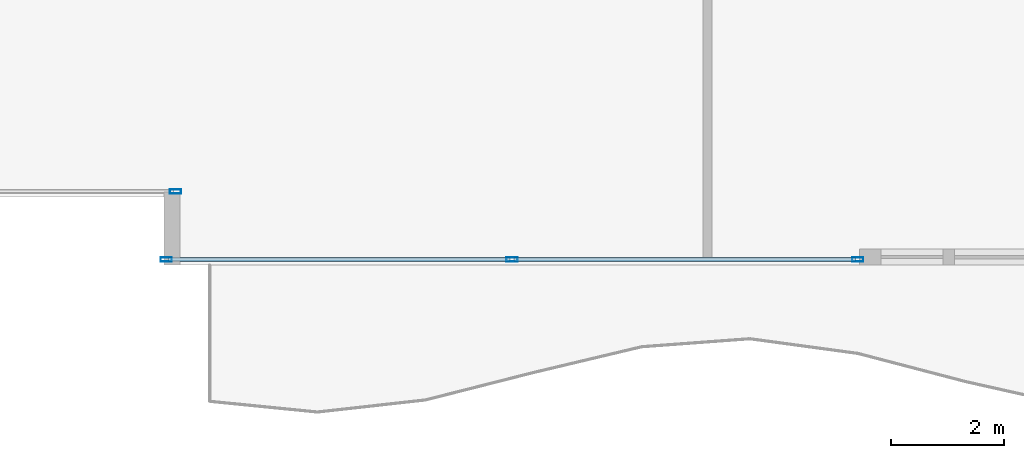
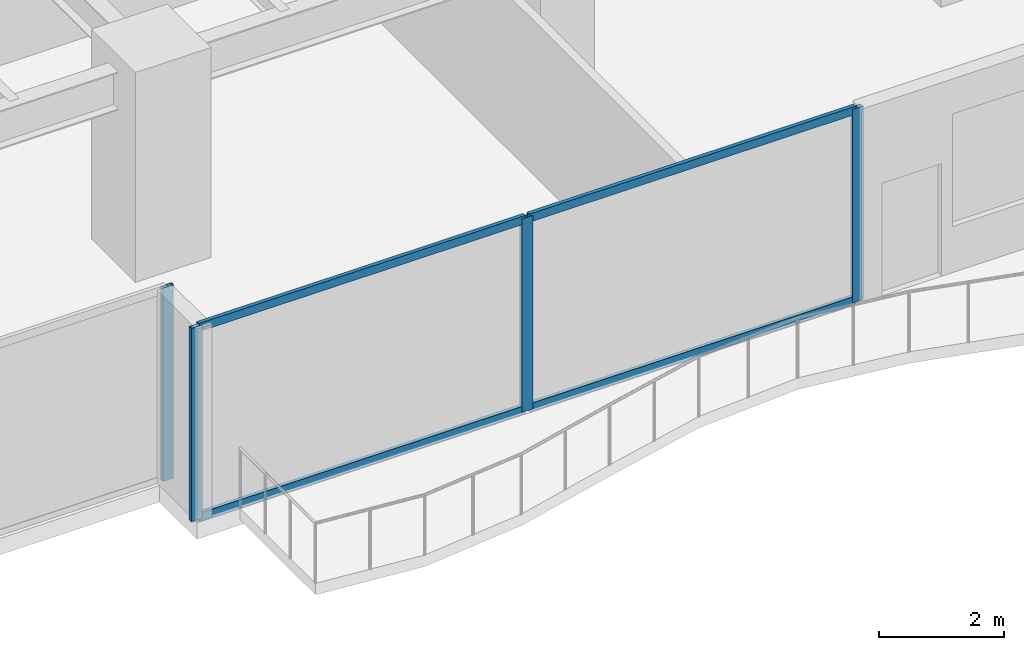
# One storey, part 10 of 31: 8 members, 2 elements without a shape of their own.
"""IFC4 building model written with IfcOpenShell, lengths in metres."""

from ifc_helpers import new_model, si_unit, direction, frame, origin, origin_2d, place, context, subcontext, project, spatial, hollow_rectangle, extrude, source, transform, mapped, material, layer, layer_set, material_profile, profile_set, type_object, type_shapes, element, aggregate, save


model = new_model("IFC4")

# Units and contexts
model_context = context("Model", 3, precision=1e-05, world=origin(), true_north=direction((0.0, 1.0)))
body_context = subcontext(model_context, "Body", "Model", "MODEL_VIEW")
ifc_project = project(units=[si_unit("LENGTHUNIT", "METRE"), si_unit("AREAUNIT", "SQUARE_METRE"), si_unit("VOLUMEUNIT", "CUBIC_METRE"), si_unit("PLANEANGLEUNIT", "RADIAN"), si_unit("MASSUNIT", "GRAM", prefix="KILO")], contexts=[model_context])

# Site, building, storey
site_placement = place(None, origin())
site = spatial("IfcSite", under=ifc_project, at=site_placement, CompositionType="ELEMENT")
building_placement = place(site_placement, origin())
building = spatial("IfcBuilding", under=site, at=building_placement, Name="Haelvirn Gate Laboratories", CompositionType="ELEMENT")
storey_placement = place(building_placement, frame((0.0, 0.0, 62.10009765625)))
storey = spatial("IfcBuildingStorey", under=building, at=storey_placement, Name="L15", CompositionType="ELEMENT", Elevation=62.10009765625)

# Curtain wall, members
ifc_material_1 = material(Name="Anodised bronze unitised aluminium & triple low-E glass", Category="aluminium")
ifc_layer = layer(ifc_material_1, 0.18408203125, Name="CW-SYS-2")
ifc_layer_set = layer_set([ifc_layer], Name="Anodised bronze unitised aluminium & triple low-E glass")
curtain_wall_type = type_object("IfcCurtainWallType", Name="CW-SYS-2", PredefinedType="NOTDEFINED", material=ifc_layer_set)
curtain_wall_1_placement = place(storey_placement, origin())
curtain_wall_1 = element("IfcCurtainWall", 1, at=curtain_wall_1_placement, inside=storey, type_object=curtain_wall_type, Name="L15 Unitised Curtain Wall CW-L15-P0-E04-1", PredefinedType="NOTDEFINED")
ifc_material_2 = material(Name="Extruded aluminium 6063-T6 (anodised bronze)", Category="aluminium")
ifc_material_profile_1 = material_profile(ifc_material_2, hollow_rectangle(XDim=0.070068359375, YDim=0.159912109375, WallThickness=0.0048828125, at=origin_2d()), Name="CWT-160x70x5")
ifc_profile_set_1 = profile_set([ifc_material_profile_1], Name="Extruded aluminium 6063-T6 (anodised bronze)")
member_type_1 = type_object("IfcMemberType", Name="CWT-T160", PredefinedType="USERDEFINED", material=ifc_profile_set_1)
shared_shape_1 = source(origin(), body_context, "Body", "SweptSolid", [
    extrude(hollow_rectangle(XDim=0.070068359375, YDim=0.159912109375, WallThickness=0.0048828125, at=origin_2d()), origin(), (0.0, 0.0, 1.0), 6.032470703125),
])
type_shapes(member_type_1, [shared_shape_1])
member_1_placement = place(storey_placement, frame((49.47509765625, 0.10009765625, 0.034912109375), z_axis=(1.0, 0.0, 0.0), x_axis=(0.0, 1.0, 0.0)))
member_1 = element("IfcMember", 2, at=member_1_placement, type_object=member_type_1, Name="CW2 transom 1.1", ObjectType="TRANSOM", PredefinedType="USERDEFINED", context=body_context, shape_type="MappedRepresentation", body=[
    mapped(shared_shape_1, transform((0.0, 0.0, 0.0), scale=1.0)),
])
member_2_placement = place(storey_placement, frame((49.47509765625, 0.10009765625, 3.744873046875), z_axis=(1.0, 0.0, 0.0), x_axis=(0.0, 1.0, 0.0)))
member_2 = element("IfcMember", 3, at=member_2_placement, type_object=member_type_1, Name="CW2 transom 1.2", ObjectType="TRANSOM", PredefinedType="USERDEFINED", context=body_context, shape_type="MappedRepresentation", body=[
    mapped(shared_shape_1, transform((0.0, 0.0, 0.0), scale=1.0)),
])
member_3_placement = place(storey_placement, frame((55.58251953125, 0.10009765625, 0.034912109375), z_axis=(1.0, 0.0, 0.0), x_axis=(0.0, 1.0, 0.0)))
member_3 = element("IfcMember", 4, at=member_3_placement, type_object=member_type_1, Name="CW2 transom 2.1", ObjectType="TRANSOM", PredefinedType="USERDEFINED", context=body_context, shape_type="MappedRepresentation", body=[
    mapped(shared_shape_1, transform((0.0, 0.0, 0.0), scale=1.0)),
])
member_4_placement = place(storey_placement, frame((55.58251953125, 0.10009765625, 3.744873046875), z_axis=(1.0, 0.0, 0.0), x_axis=(0.0, 1.0, 0.0)))
member_4 = element("IfcMember", 5, at=member_4_placement, type_object=member_type_1, Name="CW2 transom 2.2", ObjectType="TRANSOM", PredefinedType="USERDEFINED", context=body_context, shape_type="MappedRepresentation", body=[
    mapped(shared_shape_1, transform((0.0, 0.0, 0.0), scale=1.0)),
])

# Curtain wall, member
curtain_wall_2_placement = place(storey_placement, origin())
curtain_wall_2 = element("IfcCurtainWall", 6, at=curtain_wall_2_placement, inside=storey, type_object=curtain_wall_type, Name="L15 Unitised Curtain Wall CW-L15-P0-E02-1", PredefinedType="NOTDEFINED")
ifc_material_profile_2 = material_profile(ifc_material_2, hollow_rectangle(XDim=0.074951171875, YDim=0.199951171875, WallThickness=0.0048828125, at=origin_2d()), Name="CWM-200x75x5")
ifc_profile_set_2 = profile_set([ifc_material_profile_2], Name="Extruded aluminium 6063-T6 (anodised bronze)")
member_type_2 = type_object("IfcMemberType", Name="CWM-T200", PredefinedType="MULLION", material=ifc_profile_set_2)
shared_shape_2 = source(origin(), body_context, "Body", "SweptSolid", [
    extrude(hollow_rectangle(XDim=0.074951171875, YDim=0.199951171875, WallThickness=0.0048828125, at=origin_2d()), origin(), (0.0, 0.0, 1.0), 3.77978515625),
])
type_shapes(member_type_2, [shared_shape_2])
member_5_placement = place(storey_placement, frame((49.6025390625, 1.300048828125, 0.0), z_axis=(0.0, 0.0, 1.0), x_axis=(0.0, 1.0, 0.0)))
member_5 = element("IfcMember", 7, at=member_5_placement, type_object=member_type_2, Name="CW2 mullion 3", PredefinedType="MULLION", context=body_context, shape_type="MappedRepresentation", body=[
    mapped(shared_shape_2, transform((0.0, 0.0, 0.0), scale=1.0)),
])
aggregate(curtain_wall_2, [member_5])

# Member
member_6_placement = place(storey_placement, frame((49.4375, 0.10009765625, 0.0), z_axis=(0.0, 0.0, 1.0), x_axis=(0.0, 1.0, 0.0)))
member_6 = element("IfcMember", 8, at=member_6_placement, type_object=member_type_2, Name="CW2 mullion 1", PredefinedType="MULLION", context=body_context, shape_type="MappedRepresentation", body=[
    mapped(shared_shape_2, transform((0.0, 0.0, 0.0), scale=1.0)),
])

member_7_placement = place(storey_placement, frame((55.544921875, 0.10009765625, 0.0), z_axis=(0.0, 0.0, 1.0), x_axis=(0.0, 1.0, 0.0)))
member_7 = element("IfcMember", 9, at=member_7_placement, type_object=member_type_2, Name="CW2 mullion 2", PredefinedType="MULLION", context=body_context, shape_type="MappedRepresentation", body=[
    mapped(shared_shape_2, transform((0.0, 0.0, 0.0), scale=1.0)),
])

member_8_placement = place(storey_placement, frame((61.652587890625, 0.10009765625, 0.0), z_axis=(0.0, 0.0, 1.0), x_axis=(0.0, 1.0, 0.0)))
member_8 = element("IfcMember", 10, at=member_8_placement, type_object=member_type_2, Name="CW2 mullion 3", PredefinedType="MULLION", context=body_context, shape_type="MappedRepresentation", body=[
    mapped(shared_shape_2, transform((0.0, 0.0, 0.0), scale=1.0)),
])

aggregate(curtain_wall_1, [member_6, member_7, member_8, member_1, member_2, member_3, member_4])

save(model, "model.ifc")
